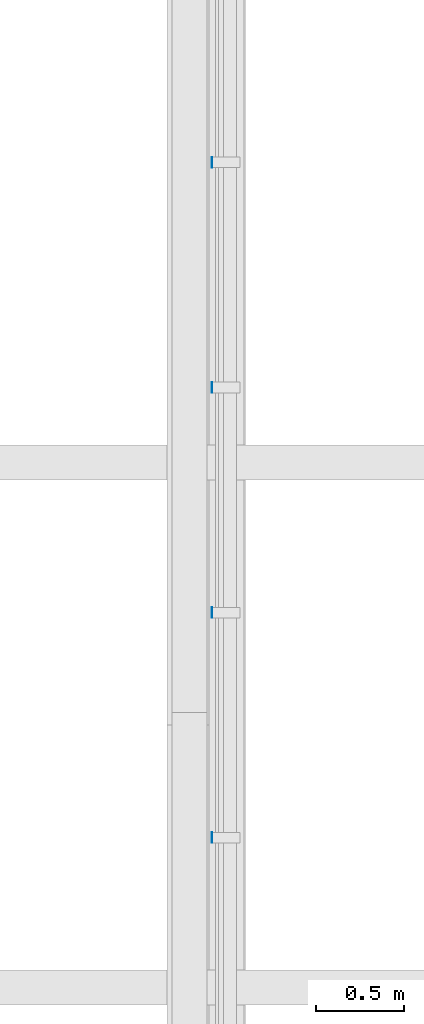
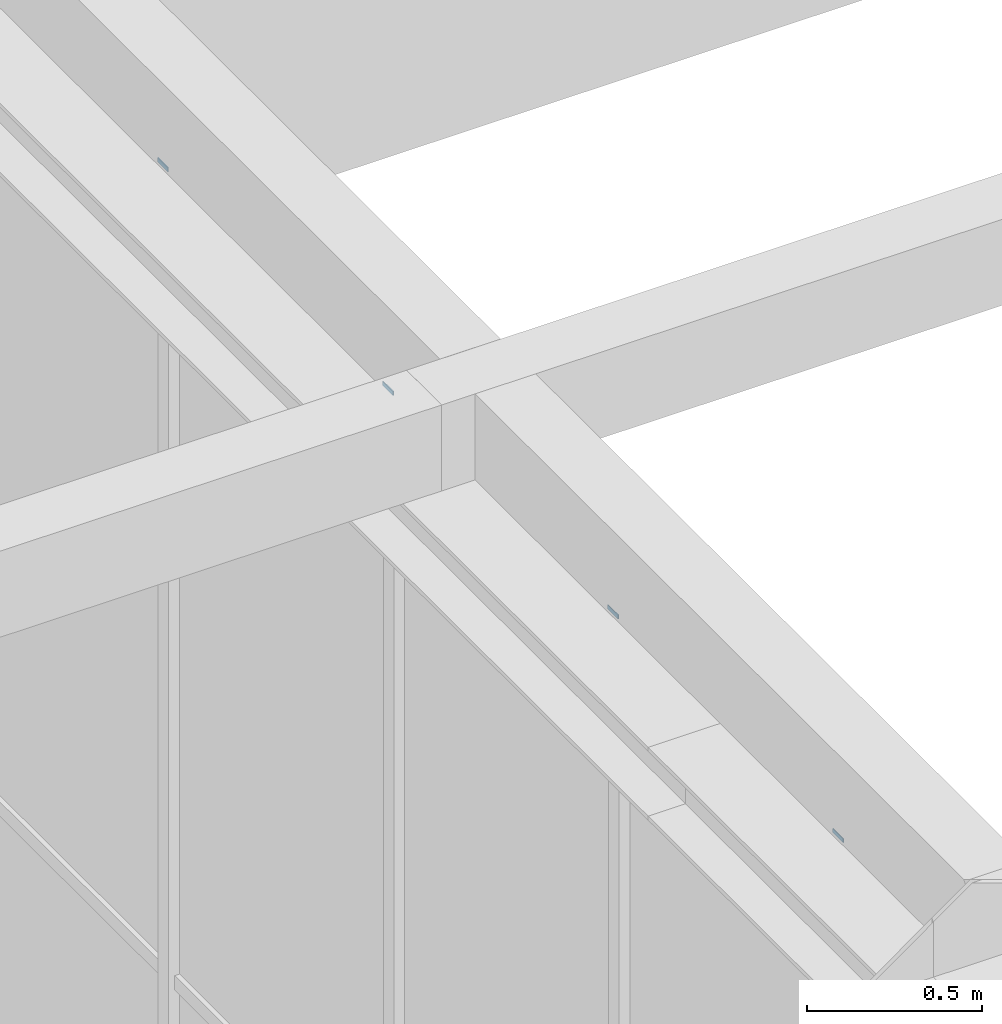
# One storey, part 626 of 646: 4 discrete accessories.
"""IFC4 building model written with IfcOpenShell, lengths in metres."""

import ifcopenshell
import ifcopenshell.guid

model = None  # the IFC model being written
_history = None  # IfcOwnerHistory: only IFC2X3 demands one
_inside = {}  # id of a spatial element -> (the spatial element, [elements in it])
_under = {}  # id of a project, library or spatial element -> (it, [spatial elements below it])
_declared = {}  # id of a project -> (the project, [libraries it declares])
_typed = {}  # id of a type object -> (the type object, [elements of that type])
_made_of = {}  # id of a material, layer set ... -> (it, [elements and type objects made of it])


def new_model(schema):
    """Start an empty IFC model of exactly this schema.

    Asked for "IFC4X3", IfcOpenShell would pick the latest addendum, in which some entities
    have other attributes; the version numbers below select the first issue.
    IFC2X3 requires an IfcOwnerHistory on every rooted entity: one is made here for all.
    """
    global model, _history
    if schema == "IFC4X3":
        model = ifcopenshell.file(schema_version=(4, 3, 0, 0))
    else:
        model = ifcopenshell.file(schema=schema)
    _inside.clear()
    _under.clear()
    _declared.clear()
    _typed.clear()
    _made_of.clear()
    _history = None
    if model.schema == "IFC2X3":
        org = make("IfcOrganization", Name="unknown")
        user = make(
            "IfcPersonAndOrganization",
            ThePerson=make("IfcPerson", FamilyName="unknown"),
            TheOrganization=org,
        )
        app = make(
            "IfcApplication",
            ApplicationDeveloper=org,
            Version="unknown",
            ApplicationFullName="unknown",
            ApplicationIdentifier="unknown",
        )
        _history = make(
            "IfcOwnerHistory",
            OwningUser=user,
            OwningApplication=app,
            ChangeAction="ADDED",
            CreationDate=0,
        )
    return model


def make(cls, **values):
    """One entity of the class cls with the attributes given. An attribute that is None is left unset."""
    return model.create_entity(
        cls, **{name: value for name, value in values.items() if value is not None}
    )


def rooted(cls, **values):
    """An entity with a GlobalId (a new one), such as an element, a storey or a relation."""
    return make(cls, GlobalId=ifcopenshell.guid.new(), OwnerHistory=_history, **values)


def si_unit(unit_type, name, prefix=None):
    """IfcSIUnit, for example si_unit("LENGTHUNIT", "METRE", prefix="MILLI")."""
    return make("IfcSIUnit", UnitType=unit_type, Prefix=prefix, Name=name)


def assignment(units):
    """IfcUnitAssignment: the units of a project."""
    return None if units is None else make("IfcUnitAssignment", Units=units)


def point(xyz):
    """IfcCartesianPoint."""
    return None if xyz is None else make("IfcCartesianPoint", Coordinates=xyz)


def direction(xyz):
    """IfcDirection."""
    return None if xyz is None else make("IfcDirection", DirectionRatios=xyz)


def frame(location, z_axis=None, x_axis=None):
    """IfcAxis2Placement3D, a coordinate frame: its origin and axes. An axis left out is left unset."""
    return make(
        "IfcAxis2Placement3D",
        Location=point(location),
        Axis=direction(z_axis),
        RefDirection=direction(x_axis),
    )


def frame_2d(location, x_axis=None):
    """IfcAxis2Placement2D, a coordinate frame in the plane: its origin and x axis."""
    return make(
        "IfcAxis2Placement2D", Location=point(location), RefDirection=direction(x_axis)
    )


def origin():
    """The frame at (0, 0, 0) with its axes left unset."""
    return frame((0.0, 0.0, 0.0))


def origin_2d():
    """The frame at (0, 0) in the plane with its x axis left unset."""
    return frame_2d((0.0, 0.0))


def place(relative_to, where):
    """IfcLocalPlacement: puts the frame where relative to a parent placement (None: the world)."""
    return make(
        "IfcLocalPlacement", PlacementRelTo=relative_to, RelativePlacement=where
    )


def context(
    kind, dimensions, precision=None, world=None, true_north=None, identifier=None
):
    """IfcGeometricRepresentationContext, for example the 3D "Model" context."""
    return make(
        "IfcGeometricRepresentationContext",
        ContextIdentifier=identifier,
        ContextType=kind,
        CoordinateSpaceDimension=dimensions,
        Precision=precision,
        WorldCoordinateSystem=world,
        TrueNorth=true_north,
    )


def subcontext(parent, identifier, kind, view, scale=None):
    """IfcGeometricRepresentationSubContext, for example "Body" below "Model"."""
    return make(
        "IfcGeometricRepresentationSubContext",
        ContextIdentifier=identifier,
        ContextType=kind,
        ParentContext=parent,
        TargetScale=scale,
        TargetView=view,
    )


def project(units=None, contexts=None):
    """IfcProject with its units and contexts."""
    return rooted(
        "IfcProject",
        Name="project",
        RepresentationContexts=contexts,
        UnitsInContext=assignment(units),
    )


def spatial(cls, under=None, at=None, **own):
    """A site, building, storey or space (cls), placed at a placement, below another one or the project."""
    s = rooted(cls, ObjectPlacement=at, **own)
    if under is not None:
        _under.setdefault(under.id(), (under, []))[1].append(s)
    return s


def profile(cls, at=None, kind="AREA", **sizes):
    """A parametric profile (cls). Its sizes go by their IFC names, for example OverallWidth=200.0."""
    return make(cls, ProfileType=kind, Position=at, **sizes)


def rectangle(**sizes):
    """IfcRectangleProfileDef."""
    return profile("IfcRectangleProfileDef", **sizes)


def extrude(swept, where, along, depth):
    """IfcExtrudedAreaSolid: the profile swept, set in the frame where, extruded along a direction by depth."""
    return make(
        "IfcExtrudedAreaSolid",
        SweptArea=swept,
        Position=where,
        ExtrudedDirection=direction(along),
        Depth=depth,
    )


def shape(context_of_items, identifier, shape_type, items):
    """IfcShapeRepresentation: the items that make up one representation, for example the "Body"."""
    return make(
        "IfcShapeRepresentation",
        ContextOfItems=context_of_items,
        RepresentationIdentifier=identifier,
        RepresentationType=shape_type,
        Items=items,
    )


def material(Name=None, Category=None):
    """IfcMaterial."""
    return make("IfcMaterial", Name=Name, Category=Category)


def made_of(thing, what):
    """Note that an element or type object is made of a material, layer set ...; save() writes the relation."""
    if what is not None:
        _made_of.setdefault(what.id(), (what, []))[1].append(thing)
    return thing


def type_object(cls, material=None, **own):
    """A type object (cls), such as IfcWallType, which elements share."""
    return made_of(rooted(cls, **own), material)


def element(
    cls,
    number,
    at=None,
    inside=None,
    cuts=None,
    type_object=None,
    material=None,
    context=None,
    identifier="Body",
    shape_type=None,
    held_by="IfcProductDefinitionShape",
    body=None,
    shapes=None,
    **own,
):
    """One element of the class cls, such as IfcWall. Its Tag is "e" and its number.

    at: its placement. inside: the storey or other place that contains it. cuts: it is an
    opening in that element (IfcRelVoidsElement). A single representation is given by context,
    identifier, shape_type and body (its items); several are given by shapes. held_by: the class
    of the entity that holds the representations. save() writes the other relations.
    """
    e = rooted(cls, Tag="e%d" % number, ObjectPlacement=at, **own)
    if body is not None:
        shapes = [shape(context, identifier, shape_type, body)]
    if shapes is not None:
        e.Representation = make(held_by, Representations=shapes)
    if inside is not None:
        _inside.setdefault(inside.id(), (inside, []))[1].append(e)
    if cuts is not None:
        rooted(
            "IfcRelVoidsElement", RelatingBuildingElement=cuts, RelatedOpeningElement=e
        )
    if type_object is not None:
        _typed.setdefault(type_object.id(), (type_object, []))[1].append(e)
    return made_of(e, material)


def aggregate(whole, parts):
    """IfcRelAggregates: a whole, such as a stair, and the parts it consists of."""
    return rooted("IfcRelAggregates", RelatingObject=whole, RelatedObjects=parts)


def save(model, path):
    """Write the relations noted so far, then the file.

    IfcRelAggregates (storeys below a building ...), IfcRelContainedInSpatialStructure (elements
    in a storey), IfcRelDefinesByType, IfcRelAssociatesMaterial and IfcRelDeclares: one each for
    every whole, place, type object, material and project.
    """
    for whole, parts in _under.values():
        aggregate(whole, parts)
    for where, things in _inside.values():
        rooted(
            "IfcRelContainedInSpatialStructure",
            RelatedElements=things,
            RelatingStructure=where,
        )
    for kind, things in _typed.values():
        rooted("IfcRelDefinesByType", RelatedObjects=things, RelatingType=kind)
    for what, things in _made_of.values():
        rooted("IfcRelAssociatesMaterial", RelatedObjects=things, RelatingMaterial=what)
    for by, libraries in _declared.values():
        rooted("IfcRelDeclares", RelatingContext=by, RelatedDefinitions=libraries)
    model.write(path)


model = new_model("IFC4")

# Units and contexts
model_context = context("Model", 3, precision=1e-05, world=origin(), true_north=direction((0.0, 1.0)))
body_context = subcontext(model_context, "Body", "Model", "MODEL_VIEW")
ifc_project = project(units=[si_unit("LENGTHUNIT", "METRE"), si_unit("AREAUNIT", "SQUARE_METRE"), si_unit("VOLUMEUNIT", "CUBIC_METRE"), si_unit("PLANEANGLEUNIT", "RADIAN"), si_unit("MASSUNIT", "GRAM", prefix="KILO")], contexts=[model_context])

# Site, building, storey
site_placement = place(None, origin())
site = spatial("IfcSite", under=ifc_project, at=site_placement, CompositionType="ELEMENT")
building_placement = place(site_placement, origin())
building = spatial("IfcBuilding", under=site, at=building_placement, Name="Silverbay Arena", CompositionType="ELEMENT")
storey_placement = place(building_placement, frame((0.0, 0.0, 33.5)))
storey = spatial("IfcBuildingStorey", under=building, at=storey_placement, Name="L05", CompositionType="ELEMENT", Elevation=33.5)

# Discrete accessories
ifc_material = material(Name="Steel S355", Category="steel")
discrete_accessory_type = type_object("IfcDiscreteAccessoryType", Name="Steel bracket plate", PredefinedType="BRACKET", material=ifc_material)
for number, where, z_axis, x_axis, name in (
    (1, (207.128662109375, 147.857177734375, 12.98583984375), (0.0, 0.0, 1.0), (1.0, 0.0, 0.0), "Curtain wall packing plate"),
    (2, (207.128662109375, 149.142822265625, 12.98583984375), (0.0, 0.0, 1.0), (1.0, 0.0, 0.0), "Curtain wall packing plate"),
    (3, (207.128662109375, 150.428466796875, 12.98583984375), (0.0, 0.0, 1.0), (1.0, 0.0, 0.0), "Curtain wall packing plate"),
    (4, (207.128662109375, 151.71435546875, 12.98583984375), (0.0, 0.0, 1.0), (1.0, 0.0, 0.0), "Curtain wall packing plate"),
):
    element("IfcDiscreteAccessory", number, at=place(storey_placement, frame(where, z_axis=z_axis, x_axis=x_axis)), inside=storey, type_object=discrete_accessory_type, Name=name, PredefinedType="BRACKET", context=body_context, shape_type="SweptSolid", body=[
        extrude(rectangle(XDim=0.002685546875, YDim=0.06005859375, at=origin_2d()), origin(), (0.0, 0.0, 1.0), 0.01416015625),
    ])

save(model, "model.ifc")
